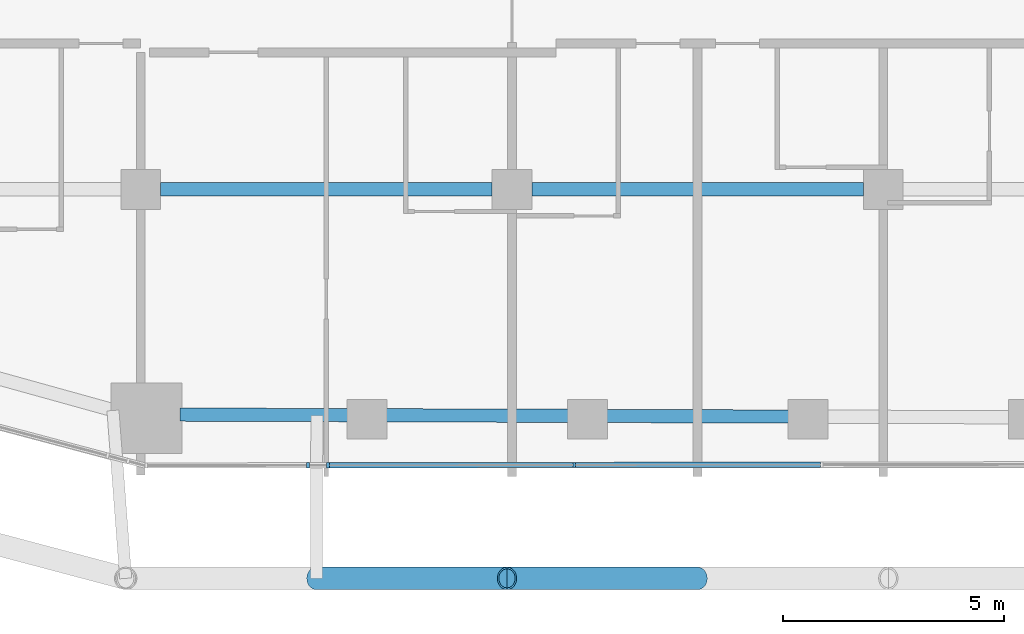
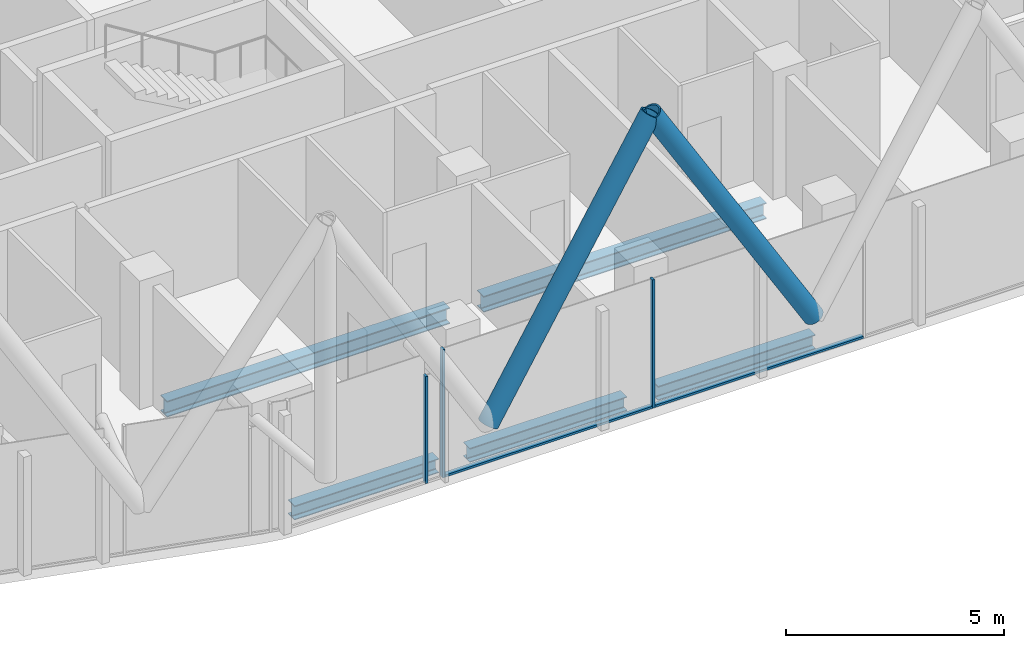
# One storey, part 3 of 36: 7 members, 5 beams, 2 elements without a shape of their own.
"""IFC4 building model written with IfcOpenShell, lengths in metres."""

from ifc_helpers import new_model, si_unit, direction, frame, origin, origin_2d, place, context, subcontext, project, spatial, rectangle, hollow_circle, i_section, extrude, material, layer, layer_set, material_profile, profile_set, type_object, element, aggregate, save


model = new_model("IFC4")

# Units and contexts
model_context = context("Model", 3, precision=1e-05, world=origin(), true_north=direction((0.0, 1.0)))
body_context = subcontext(model_context, "Body", "Model", "MODEL_VIEW")
ifc_project = project(units=[si_unit("LENGTHUNIT", "METRE"), si_unit("AREAUNIT", "SQUARE_METRE"), si_unit("VOLUMEUNIT", "CUBIC_METRE"), si_unit("PLANEANGLEUNIT", "RADIAN"), si_unit("MASSUNIT", "GRAM", prefix="KILO")], contexts=[model_context])

# Site, building, storey
site_placement = place(None, origin())
site = spatial("IfcSite", under=ifc_project, at=site_placement, CompositionType="ELEMENT")
building_placement = place(site_placement, origin())
building = spatial("IfcBuilding", under=site, at=building_placement, Name="Marenta Gate Hotel Tower", CompositionType="ELEMENT")
storey_placement = place(building_placement, frame((0.0, 0.0, 158.89990234375)))
storey = spatial("IfcBuildingStorey", under=building, at=storey_placement, Name="L37", CompositionType="ELEMENT", Elevation=158.89990234375)

# Members
ifc_material_1 = material(Name="Steel S355J2W", Category="steel")
ifc_material_profile_1 = material_profile(ifc_material_1, hollow_circle(Radius=0.25390625, WallThickness=0.0400390625, at=origin_2d()), Name="CHS 508x40")
ifc_profile_set_1 = profile_set([ifc_material_profile_1], Name="Steel S355J2W")
member_type_1 = type_object("IfcMemberType", Name="Diagrid diagonal Z2 CHS 508x40", PredefinedType="BRACE", material=ifc_profile_set_1)
for number, where, z_axis, x_axis, name in (
    (1, (0.0, -25.60009765625, 3.14013671875), (-0.513883902774, 0.0, 0.857859740558), (0.0, -1.0, 0.0), "L37-DG-18"),
    (2, (-8.6259765625, -25.60009765625, 3.14013671875), (0.513883902774, 0.0, 0.857859740558), (0.0, 1.0, 0.0), "L37-DG-19"),
):
    element("IfcMember", number, at=place(storey_placement, frame(where, z_axis=z_axis, x_axis=x_axis)), inside=storey, type_object=member_type_1, Name=name, PredefinedType="BRACE", context=body_context, shape_type="SweptSolid", body=[
        extrude(hollow_circle(Radius=0.25390625, WallThickness=0.0400390625, at=origin_2d()), origin(), (0.0, 0.0, 1.0), 8.392822265625),
    ])

# Beams
ifc_material_2 = material(Name="Steel S355", Category="steel")
ifc_material_profile_2 = material_profile(ifc_material_2, i_section(OverallWidth=0.300048828125, OverallDepth=0.39990234375, WebThickness=0.013427734375, FlangeThickness=0.02392578125, FilletRadius=0.027099609375, at=origin_2d()), Name="HEB 400")
ifc_profile_set_2 = profile_set([ifc_material_profile_2], Name="Steel S355")
beam_type_1 = type_object("IfcBeamType", Name="Edge beam HEB 400", PredefinedType="SPANDREL", material=ifc_profile_set_2)
beam_1_placement = place(storey_placement, frame((2.08349609375, -21.939453125, -0.4599609375), z_axis=(-0.999994808095, 0.003222387769, 0.0), x_axis=(-0.003222387769, -0.999994808095, 0.0)))
element("IfcBeam", 3, at=beam_1_placement, inside=storey, type_object=beam_type_1, Name="L37-EB-34", PredefinedType="SPANDREL", context=body_context, shape_type="SweptSolid", body=[
    extrude(i_section(OverallWidth=0.300048828125, OverallDepth=0.39990234375, WebThickness=0.013427734375, FlangeThickness=0.02392578125, FilletRadius=0.027099609375, at=origin_2d()), origin(), (0.0, 0.0, 1.0), 4.1669921875),
])
beam_2_placement = place(storey_placement, frame((-2.9033203125, -21.92333984375, -0.4599609375), z_axis=(-0.999994807487, 0.003222576575, 0.0), x_axis=(-0.003222576575, -0.999994807487, 0.0)))
element("IfcBeam", 4, at=beam_2_placement, inside=storey, type_object=beam_type_1, Name="L37-EB-35", PredefinedType="SPANDREL", context=body_context, shape_type="SweptSolid", body=[
    extrude(i_section(OverallWidth=0.300048828125, OverallDepth=0.39990234375, WebThickness=0.013427734375, FlangeThickness=0.02392578125, FilletRadius=0.027099609375, at=origin_2d()), origin(), (0.0, 0.0, 1.0), 4.166748046875),
])
beam_3_placement = place(storey_placement, frame((-7.89013671875, -21.907470703125, -0.4599609375), z_axis=(-0.999994677283, 0.003262729738, 0.0), x_axis=(-0.003262729738, -0.999994677283, 0.0)))
element("IfcBeam", 5, at=beam_3_placement, inside=storey, type_object=beam_type_1, Name="L37-EB-36", PredefinedType="SPANDREL", context=body_context, shape_type="SweptSolid", body=[
    extrude(i_section(OverallWidth=0.300048828125, OverallDepth=0.39990234375, WebThickness=0.013427734375, FlangeThickness=0.02392578125, FilletRadius=0.027099609375, at=origin_2d()), origin(), (0.0, 0.0, 1.0), 3.816162109375),
])
ifc_material_3 = material(Name="Steel S355", Category="steel")
ifc_material_profile_3 = material_profile(ifc_material_3, i_section(OverallWidth=0.300048828125, OverallDepth=0.449951171875, WebThickness=0.013916015625, FlangeThickness=0.02587890625, FilletRadius=0.027099609375, at=origin_2d()), Name="HEB 450")
ifc_profile_set_3 = profile_set([ifc_material_profile_3], Name="Steel S355")
beam_type_2 = type_object("IfcBeamType", Name="Girder HEB 450", PredefinedType="BEAM", material=ifc_profile_set_3)
for number, where, z_axis, x_axis, name in (
    (6, (-12.14990234375, -16.800048828125, -0.48486328125), (1.0, 0.0, 0.0), (0.0, 1.0, 0.0), "L37-GD-3"),
    (7, (-3.75, -16.800048828125, -0.48486328125), (1.0, 0.0, 0.0), (0.0, 1.0, 0.0), "L37-GD-4"),
):
    element("IfcBeam", number, at=place(storey_placement, frame(where, z_axis=z_axis, x_axis=x_axis)), inside=storey, type_object=beam_type_2, Name=name, PredefinedType="BEAM", context=body_context, shape_type="SweptSolid", body=[
        extrude(i_section(OverallWidth=0.300048828125, OverallDepth=0.449951171875, WebThickness=0.013916015625, FlangeThickness=0.02587890625, FilletRadius=0.027099609375, at=origin_2d()), origin(), (0.0, 0.0, 1.0), 7.5),
    ])

# Curtain wall, member
ifc_material_4 = material(Name="Tinted insulated glass in bronze anodised frame", Category="glass")
ifc_layer = layer(ifc_material_4, 0.1201171875)
ifc_layer_set = layer_set([ifc_layer], Name="Tinted insulated glass in bronze anodised frame")
curtain_wall_type = type_object("IfcCurtainWallType", Name="Tower unitised curtain wall CW1", PredefinedType="NOTDEFINED", material=ifc_layer_set)
curtain_wall_1_placement = place(storey_placement, origin())
curtain_wall_1 = element("IfcCurtainWall", 8, at=curtain_wall_1_placement, inside=storey, type_object=curtain_wall_type, Name="CW1 run G20", PredefinedType="NOTDEFINED")
ifc_material_5 = material(Name="Bronze anodised aluminium", Category="aluminium")
ifc_material_profile_4 = material_profile(ifc_material_5, rectangle(XDim=0.1201171875, YDim=0.06005859375, at=origin_2d()), Name="Mullion CW1 60x120 bronze anodised aluminium")
ifc_profile_set_4 = profile_set([ifc_material_profile_4], Name="Bronze anodised aluminium")
member_type_2 = type_object("IfcMemberType", Name="Mullion CW1 60x120 bronze anodised aluminium", PredefinedType="MULLION", material=ifc_profile_set_4)
member_1_placement = place(storey_placement, frame((-8.814208984375, -23.04248046875, 0.0), z_axis=(0.0, 0.0, 1.0), x_axis=(-0.001324502144, 0.999999122847, 0.0)))
member_1 = element("IfcMember", 9, at=member_1_placement, type_object=member_type_2, Name="CW1 mullion 1", PredefinedType="MULLION", context=body_context, shape_type="SweptSolid", body=[
    extrude(rectangle(XDim=0.1201171875, YDim=0.06005859375, at=origin_2d()), origin(), (0.0, 0.0, 1.0), 3.00048828125),
])
aggregate(curtain_wall_1, [member_1])

# Curtain wall, members
curtain_wall_2_placement = place(storey_placement, origin())
curtain_wall_2 = element("IfcCurtainWall", 10, at=curtain_wall_2_placement, inside=storey, type_object=curtain_wall_type, Name="CW1 run G21", PredefinedType="NOTDEFINED")
member_2_placement = place(storey_placement, frame((-8.361328125, -23.041748046875, 0.0), z_axis=(0.0, 0.0, 1.0), x_axis=(-0.001363166999, 0.999999070887, 0.0)))
member_2 = element("IfcMember", 11, at=member_2_placement, type_object=member_type_2, Name="CW1 mullion 1", PredefinedType="MULLION", context=body_context, shape_type="SweptSolid", body=[
    extrude(rectangle(XDim=0.1201171875, YDim=0.06005859375, at=origin_2d()), origin(), (0.0, 0.0, 1.0), 3.60009765625),
])
member_3_placement = place(storey_placement, frame((-2.79150390625, -23.0341796875, 0.0), z_axis=(0.0, 0.0, 1.0), x_axis=(-0.001363166999, 0.999999070887, 0.0)))
member_3 = element("IfcMember", 12, at=member_3_placement, type_object=member_type_2, Name="CW1 mullion 2", PredefinedType="MULLION", context=body_context, shape_type="SweptSolid", body=[
    extrude(rectangle(XDim=0.1201171875, YDim=0.06005859375, at=origin_2d()), origin(), (0.0, 0.0, 1.0), 3.60009765625),
])
ifc_material_6 = material(Name="Bronze anodised aluminium", Category="aluminium")
ifc_material_profile_5 = material_profile(ifc_material_6, rectangle(XDim=0.1201171875, YDim=0.06005859375, at=origin_2d()), Name="Transom CW1 60x120 bronze anodised aluminium")
ifc_profile_set_5 = profile_set([ifc_material_profile_5], Name="Bronze anodised aluminium")
member_type_3 = type_object("IfcMemberType", Name="Transom CW1 60x120 bronze anodised aluminium", PredefinedType="USERDEFINED", material=ifc_profile_set_5)
member_4_placement = place(storey_placement, frame((-8.331298828125, -23.041748046875, 0.030029296875), z_axis=(0.999999116461, 0.001329314671, 0.0), x_axis=(-0.001329314671, 0.999999116461, 0.0)))
member_4 = element("IfcMember", 13, at=member_4_placement, type_object=member_type_3, Name="CW1 transom 1.1", ObjectType="TRANSOM", PredefinedType="USERDEFINED", context=body_context, shape_type="SweptSolid", body=[
    extrude(rectangle(XDim=0.1201171875, YDim=0.06005859375, at=origin_2d()), origin(), (0.0, 0.0, 1.0), 5.509765625),
])
member_5_placement = place(storey_placement, frame((-2.76171875, -23.0341796875, 0.030029296875), z_axis=(0.999999066777, 0.001366179149, 0.0), x_axis=(-0.001366179149, 0.999999066777, 0.0)))
member_5 = element("IfcMember", 14, at=member_5_placement, type_object=member_type_3, Name="CW1 transom 2.1", ObjectType="TRANSOM", PredefinedType="USERDEFINED", context=body_context, shape_type="SweptSolid", body=[
    extrude(rectangle(XDim=0.1201171875, YDim=0.06005859375, at=origin_2d()), origin(), (0.0, 0.0, 1.0), 5.539794921875),
])
aggregate(curtain_wall_2, [member_2, member_3, member_4, member_5])

save(model, "model.ifc")
